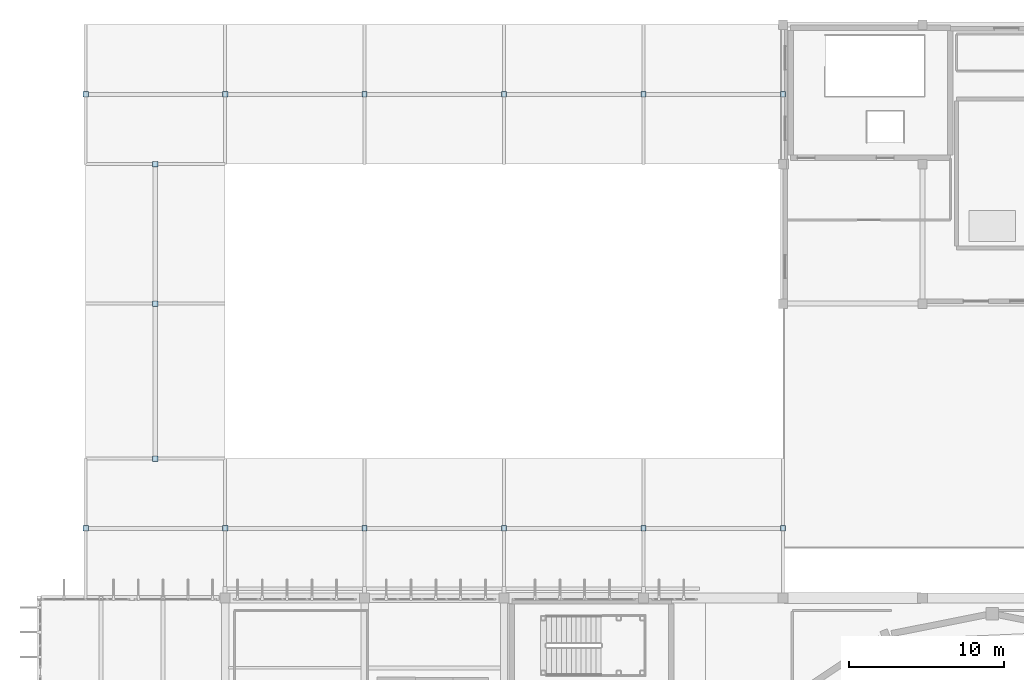
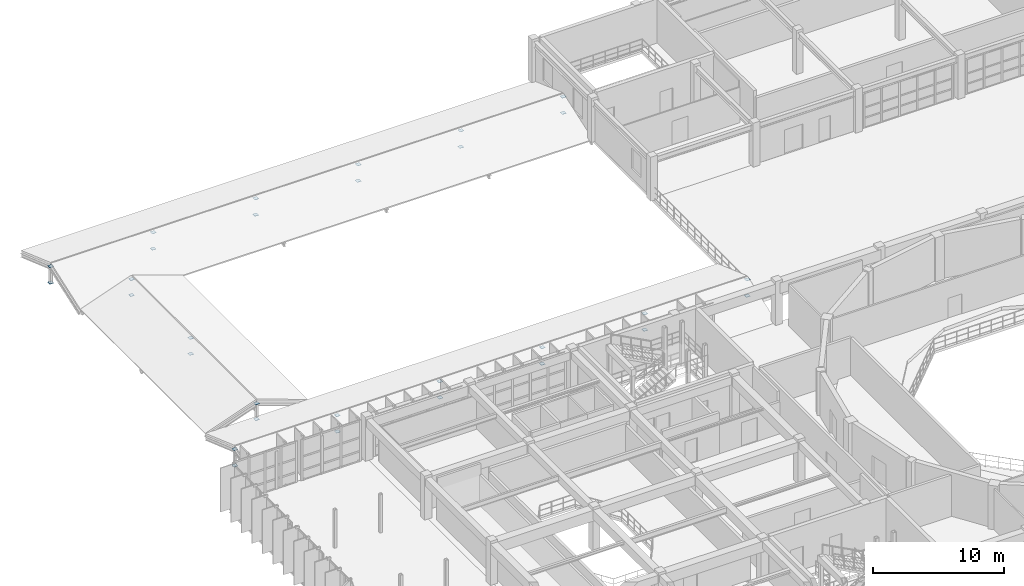
# One storey, part 67 of 80: 30 plates.
"""IFC4 building model written with IfcOpenShell, lengths in metres."""

from ifc_helpers import new_model, si_unit, direction, frame, origin, origin_2d, place, context, subcontext, project, spatial, rectangle, extrude, material, layer, layer_set, type_object, element, save


model = new_model("IFC4")

# Units and contexts
model_context = context("Model", 3, precision=1e-05, world=origin(), true_north=direction((0.0, 1.0)))
body_context = subcontext(model_context, "Body", "Model", "MODEL_VIEW")
ifc_project = project(units=[si_unit("LENGTHUNIT", "METRE"), si_unit("AREAUNIT", "SQUARE_METRE"), si_unit("VOLUMEUNIT", "CUBIC_METRE"), si_unit("PLANEANGLEUNIT", "RADIAN"), si_unit("MASSUNIT", "GRAM", prefix="KILO")], contexts=[model_context])

# Site, building, storey
site_placement = place(None, origin())
site = spatial("IfcSite", under=ifc_project, at=site_placement, CompositionType="ELEMENT")
building_placement = place(site_placement, origin())
building = spatial("IfcBuilding", under=site, at=building_placement, Name="Miravela Opera House", CompositionType="ELEMENT")
storey_placement = place(building_placement, frame((0.0, 0.0, 17.679931640625)))
storey = spatial("IfcBuildingStorey", under=building, at=storey_placement, Name="L04", CompositionType="ELEMENT", Elevation=17.679931640625)

# Plates
ifc_material = material(Name="Structural steel ASTM A572 Gr. 50", Category="steel")
ifc_layer = layer(ifc_material, 0.02001953125)
ifc_layer_set = layer_set([ifc_layer])
plate_type = type_object("IfcPlateType", Name="STR-PL-CAP-350X350X20", PredefinedType="SHEET", material=ifc_layer_set)
for number, where, z_axis, x_axis, name in (
    (1, (18.0, 79.5, -0.263916015625), (0.0, 0.0, 1.0), (1.0, 0.0, 0.0), "HSS Welded End Cap Plate 218"),
    (2, (18.0, 79.5, 1.254150390625), (0.0, 0.0, 1.0), (1.0, 0.0, 0.0), "HSS Welded End Cap Plate 219"),
    (3, (27.0, 79.5, -0.263916015625), (0.0, 0.0, 1.0), (1.0, 0.0, 0.0), "HSS Welded End Cap Plate 220"),
    (4, (27.0, 79.5, 1.254150390625), (0.0, 0.0, 1.0), (1.0, 0.0, 0.0), "HSS Welded End Cap Plate 221"),
    (5, (36.0, 79.5, -0.263916015625), (0.0, 0.0, 1.0), (1.0, 0.0, 0.0), "HSS Welded End Cap Plate 222"),
    (6, (36.0, 79.5, 1.254150390625), (0.0, 0.0, 1.0), (1.0, 0.0, 0.0), "HSS Welded End Cap Plate 223"),
    (7, (45.0, 79.5, -0.263916015625), (0.0, 0.0, 1.0), (1.0, 0.0, 0.0), "HSS Welded End Cap Plate 224"),
    (8, (45.0, 79.5, 1.254150390625), (0.0, 0.0, 1.0), (1.0, 0.0, 0.0), "HSS Welded End Cap Plate 225"),
    (9, (54.0, 79.5, -0.263916015625), (0.0, 0.0, 1.0), (1.0, 0.0, 0.0), "HSS Welded End Cap Plate 226"),
    (10, (54.0, 79.5, 1.254150390625), (0.0, 0.0, 1.0), (1.0, 0.0, 0.0), "HSS Welded End Cap Plate 227"),
    (11, (63.0, 79.5, -0.263916015625), (0.0, 0.0, 1.0), (1.0, 0.0, 0.0), "HSS Welded End Cap Plate 228"),
    (12, (63.0, 79.5, 1.254150390625), (0.0, 0.0, 1.0), (1.0, 0.0, 0.0), "HSS Welded End Cap Plate 229"),
    (13, (22.5, 84.0, -0.263916015625), (0.0, 0.0, 1.0), (1.0, 0.0, 0.0), "HSS Welded End Cap Plate 230"),
    (14, (22.5, 84.0, 1.214111328125), (0.0, 0.0, 1.0), (1.0, 0.0, 0.0), "HSS Welded End Cap Plate 231"),
    (15, (22.5, 94.0, -0.263916015625), (0.0, 0.0, 1.0), (1.0, 0.0, 0.0), "HSS Welded End Cap Plate 232"),
    (16, (22.5, 94.0, 1.214111328125), (0.0, 0.0, 1.0), (1.0, 0.0, 0.0), "HSS Welded End Cap Plate 233"),
    (17, (22.5, 103.0, -0.263916015625), (0.0, 0.0, 1.0), (1.0, 0.0, 0.0), "HSS Welded End Cap Plate 234"),
    (18, (22.5, 103.0, 1.214111328125), (0.0, 0.0, 1.0), (1.0, 0.0, 0.0), "HSS Welded End Cap Plate 235"),
    (19, (18.0, 107.5, -0.263916015625), (0.0, 0.0, 1.0), (1.0, 0.0, 0.0), "HSS Welded End Cap Plate 236"),
    (20, (18.0, 107.5, 1.254150390625), (0.0, 0.0, 1.0), (1.0, 0.0, 0.0), "HSS Welded End Cap Plate 237"),
    (21, (27.0, 107.5, -0.263916015625), (0.0, 0.0, 1.0), (1.0, 0.0, 0.0), "HSS Welded End Cap Plate 238"),
    (22, (27.0, 107.5, 1.254150390625), (0.0, 0.0, 1.0), (1.0, 0.0, 0.0), "HSS Welded End Cap Plate 239"),
    (23, (36.0, 107.5, -0.263916015625), (0.0, 0.0, 1.0), (1.0, 0.0, 0.0), "HSS Welded End Cap Plate 240"),
    (24, (36.0, 107.5, 1.254150390625), (0.0, 0.0, 1.0), (1.0, 0.0, 0.0), "HSS Welded End Cap Plate 241"),
    (25, (45.0, 107.5, -0.263916015625), (0.0, 0.0, 1.0), (1.0, 0.0, 0.0), "HSS Welded End Cap Plate 242"),
    (26, (45.0, 107.5, 1.254150390625), (0.0, 0.0, 1.0), (1.0, 0.0, 0.0), "HSS Welded End Cap Plate 243"),
    (27, (54.0, 107.5, -0.263916015625), (0.0, 0.0, 1.0), (1.0, 0.0, 0.0), "HSS Welded End Cap Plate 244"),
    (28, (54.0, 107.5, 1.254150390625), (0.0, 0.0, 1.0), (1.0, 0.0, 0.0), "HSS Welded End Cap Plate 245"),
    (29, (63.0, 107.5, -0.263916015625), (0.0, 0.0, 1.0), (1.0, 0.0, 0.0), "HSS Welded End Cap Plate 246"),
    (30, (63.0, 107.5, 1.254150390625), (0.0, 0.0, 1.0), (1.0, 0.0, 0.0), "HSS Welded End Cap Plate 247"),
):
    element("IfcPlate", number, at=place(storey_placement, frame(where, z_axis=z_axis, x_axis=x_axis)), inside=storey, type_object=plate_type, Name=name, PredefinedType="SHEET", context=body_context, shape_type="SweptSolid", body=[
        extrude(rectangle(XDim=0.35009765625, YDim=0.35009765625, at=origin_2d()), origin(), (0.0, 0.0, 1.0), 0.02001953125),
    ])

save(model, "model.ifc")
